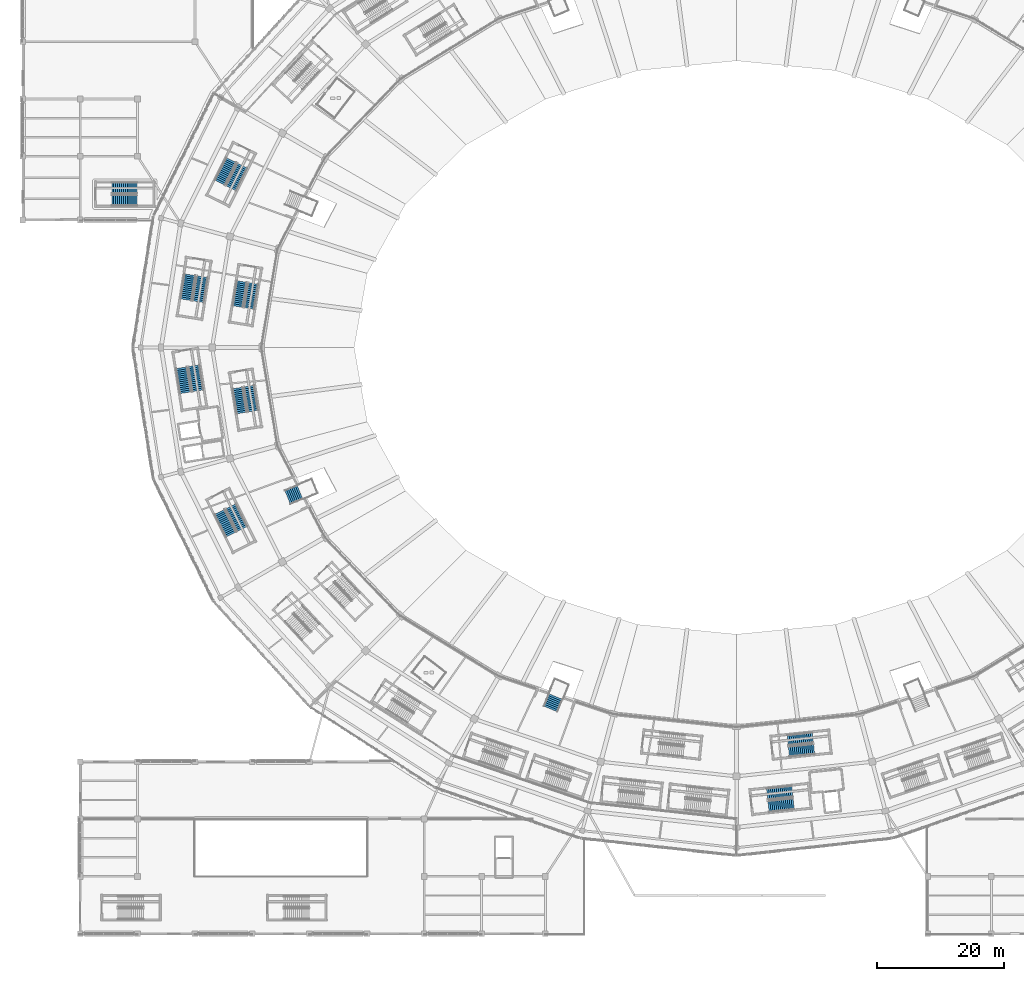
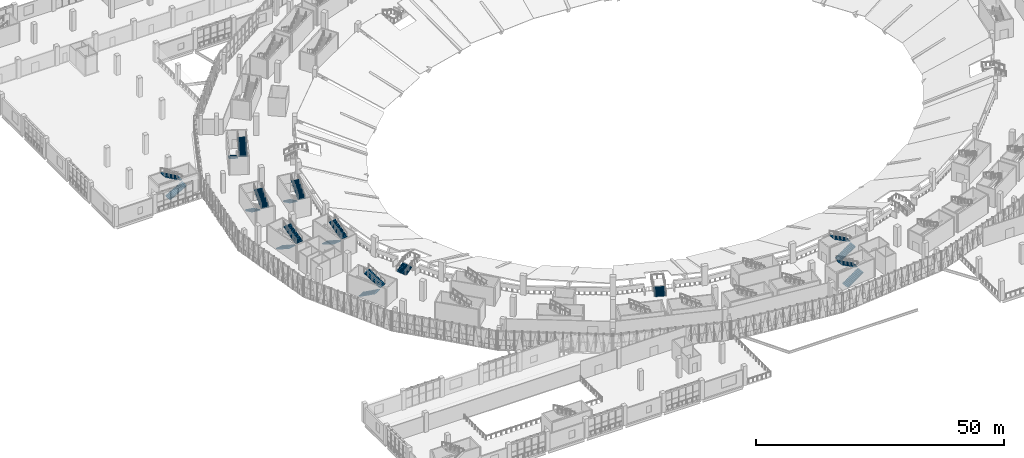
# One storey, part 114 of 183: 20 stair flights, 11 elements without a shape of their own.
"""IFC4 building model written with IfcOpenShell, lengths in metres."""

from ifc_helpers import new_model, si_unit, direction, frame, origin, place, context, subcontext, project, spatial, polyline, outline, extrude, material, type_object, element, aggregate, save


model = new_model("IFC4")

# Units and contexts
model_context = context("Model", 3, precision=1e-05, world=origin(), true_north=direction((0.0, 1.0)))
body_context = subcontext(model_context, "Body", "Model", "MODEL_VIEW")
ifc_project = project(units=[si_unit("LENGTHUNIT", "METRE"), si_unit("AREAUNIT", "SQUARE_METRE"), si_unit("VOLUMEUNIT", "CUBIC_METRE"), si_unit("PLANEANGLEUNIT", "RADIAN"), si_unit("MASSUNIT", "GRAM", prefix="KILO")], contexts=[model_context])

# Site, building, storey
site_placement = place(None, origin())
site = spatial("IfcSite", under=ifc_project, at=site_placement, CompositionType="ELEMENT")
building_placement = place(site_placement, origin())
building = spatial("IfcBuilding", under=site, at=building_placement, Name="Zevraka Park Crest Stadium", CompositionType="ELEMENT")
storey_placement = place(building_placement, frame((0.0, 0.0, 5.39990234375)))
storey = spatial("IfcBuildingStorey", under=building, at=storey_placement, Name="L01", CompositionType="ELEMENT", Elevation=5.39990234375)

# Stair, stair flights
ifc_material_1 = material(Name="Concrete C35/45", Category="concrete")
stair_type_1 = type_object("IfcStairType", Name="STA2", PredefinedType="HALF_TURN_STAIR", material=ifc_material_1)
stair_1_placement = place(storey_placement, origin())
stair_1 = element("IfcStair", 1, at=stair_1_placement, inside=storey, type_object=stair_type_1, Name="L01 Protected Concourse Exit Stair ST11", PredefinedType="HALF_TURN_STAIR")
ifc_material_2 = material(Name="Concrete C35/45", Category="concrete")
stair_flight_type_1 = type_object("IfcStairFlightType", Name="FLA2", PredefinedType="STRAIGHT", material=ifc_material_2)
stair_flight_1_placement = place(storey_placement, frame((32.707763671875, 121.415771484375, 0.0), z_axis=(0.0, 0.0, 1.0), x_axis=(-0.447915140373, -0.894076074518, 0.0)))
stair_flight_1 = element("IfcStairFlight", 2, at=stair_flight_1_placement, type_object=stair_flight_type_1, Name="ST11 flight 1", NumberOfRisers=14, NumberOfTreads=13, PredefinedType="STRAIGHT", RiserHeight=0.171428571, TreadLength=0.305, context=body_context, shape_type="SweptSolid", body=[
    extrude(outline(polyline([(0.0, 0.0), (0.0, 0.17138671875), (0.304931640625, 0.17138671875), (0.304931640625, 0.3427734375), (0.610107421875, 0.3427734375), (0.610107421875, 0.514404296875), (0.9150390625, 0.514404296875), (0.9150390625, 0.685791015625), (1.219970703125, 0.685791015625), (1.219970703125, 0.857177734375), (1.52490234375, 0.857177734375), (1.52490234375, 1.028564453125), (1.830078125, 1.028564453125), (1.830078125, 1.199951171875), (2.135009765625, 1.199951171875), (2.135009765625, 1.371337890625), (2.43994140625, 1.371337890625), (2.43994140625, 1.54296875), (2.7451171875, 1.54296875), (2.7451171875, 1.71435546875), (3.050048828125, 1.71435546875), (3.050048828125, 1.8857421875), (3.35498046875, 1.8857421875), (3.35498046875, 2.05712890625), (3.659912109375, 2.05712890625), (3.659912109375, 2.228515625), (3.965087890625, 2.228515625), (3.965087890625, 2.39990234375), (3.965087890625, 2.045166015625), (0.326416015625, 0.0), (0.0, 0.0)])), frame((0.0, 0.89990234375, 0.0), z_axis=(0.0, -1.0, 0.0), x_axis=(1.0, 0.0, 0.0)), (0.0, 0.0, 1.0), 1.800048828125),
])
stair_flight_2_placement = place(storey_placement, frame((32.684326171875, 116.99267578125, 2.400146484375), z_axis=(0.0, 0.0, 1.0), x_axis=(0.447915140373, 0.894076074518, 0.0)))
stair_flight_2 = element("IfcStairFlight", 3, at=stair_flight_2_placement, type_object=stair_flight_type_1, Name="ST11 flight 2", NumberOfRisers=14, NumberOfTreads=13, PredefinedType="STRAIGHT", RiserHeight=0.171428571, TreadLength=0.305, context=body_context, shape_type="SweptSolid", body=[
    extrude(outline(polyline([(0.0, 0.0), (0.0, 0.17138671875), (0.304931640625, 0.17138671875), (0.304931640625, 0.3427734375), (0.610107421875, 0.3427734375), (0.610107421875, 0.514404296875), (0.9150390625, 0.514404296875), (0.9150390625, 0.685791015625), (1.219970703125, 0.685791015625), (1.219970703125, 0.857177734375), (1.52490234375, 0.857177734375), (1.52490234375, 1.028564453125), (1.830078125, 1.028564453125), (1.830078125, 1.199951171875), (2.135009765625, 1.199951171875), (2.135009765625, 1.371337890625), (2.43994140625, 1.371337890625), (2.43994140625, 1.54296875), (2.7451171875, 1.54296875), (2.7451171875, 1.71435546875), (3.050048828125, 1.71435546875), (3.050048828125, 1.8857421875), (3.35498046875, 1.8857421875), (3.35498046875, 2.05712890625), (3.659912109375, 2.05712890625), (3.659912109375, 2.228515625), (3.965087890625, 2.228515625), (3.965087890625, 2.39990234375), (3.965087890625, 2.045166015625), (0.326416015625, 0.0), (0.0, 0.0)])), frame((0.0, 0.89990234375, 0.0), z_axis=(0.0, -1.0, 0.0), x_axis=(1.0, 0.0, 0.0)), (0.0, 0.0, 1.0), 1.800048828125),
])
aggregate(stair_1, [stair_flight_1, stair_flight_2])

stair_2_placement = place(storey_placement, origin())
stair_2 = element("IfcStair", 4, at=stair_2_placement, inside=storey, type_object=stair_type_1, Name="L01 Protected Concourse Exit Stair ST12", PredefinedType="HALF_TURN_STAIR")
stair_flight_3_placement = place(storey_placement, frame((26.2265625, 103.419677734375, 0.0), z_axis=(0.0, 0.0, 1.0), x_axis=(-0.157261853897, -0.987556939781, 0.0)))
stair_flight_3 = element("IfcStairFlight", 5, at=stair_flight_3_placement, type_object=stair_flight_type_1, Name="ST12 flight 1", NumberOfRisers=14, NumberOfTreads=13, PredefinedType="STRAIGHT", RiserHeight=0.171428571, TreadLength=0.305, context=body_context, shape_type="SweptSolid", body=[
    extrude(outline(polyline([(0.0, 0.0), (0.0, 0.17138671875), (0.304931640625, 0.17138671875), (0.304931640625, 0.3427734375), (0.610107421875, 0.3427734375), (0.610107421875, 0.514404296875), (0.9150390625, 0.514404296875), (0.9150390625, 0.685791015625), (1.219970703125, 0.685791015625), (1.219970703125, 0.857177734375), (1.52490234375, 0.857177734375), (1.52490234375, 1.028564453125), (1.830078125, 1.028564453125), (1.830078125, 1.199951171875), (2.135009765625, 1.199951171875), (2.135009765625, 1.371337890625), (2.43994140625, 1.371337890625), (2.43994140625, 1.54296875), (2.7451171875, 1.54296875), (2.7451171875, 1.71435546875), (3.050048828125, 1.71435546875), (3.050048828125, 1.8857421875), (3.35498046875, 1.8857421875), (3.35498046875, 2.05712890625), (3.659912109375, 2.05712890625), (3.659912109375, 2.228515625), (3.965087890625, 2.228515625), (3.965087890625, 2.39990234375), (3.965087890625, 2.045166015625), (0.326416015625, 0.0), (0.0, 0.0)])), frame((0.0, 0.89990234375, 0.0), z_axis=(0.0, -1.0, 0.0), x_axis=(1.0, 0.0, 0.0)), (0.0, 0.0, 1.0), 1.800048828125),
])
stair_flight_4_placement = place(storey_placement, frame((27.538818359375, 99.195556640625, 2.400146484375), z_axis=(0.0, 0.0, 1.0), x_axis=(0.157261853897, 0.987556939781, 0.0)))
stair_flight_4 = element("IfcStairFlight", 6, at=stair_flight_4_placement, type_object=stair_flight_type_1, Name="ST12 flight 2", NumberOfRisers=14, NumberOfTreads=13, PredefinedType="STRAIGHT", RiserHeight=0.171428571, TreadLength=0.305, context=body_context, shape_type="SweptSolid", body=[
    extrude(outline(polyline([(0.0, 0.0), (0.0, 0.17138671875), (0.304931640625, 0.17138671875), (0.304931640625, 0.3427734375), (0.610107421875, 0.3427734375), (0.610107421875, 0.514404296875), (0.9150390625, 0.514404296875), (0.9150390625, 0.685791015625), (1.219970703125, 0.685791015625), (1.219970703125, 0.857177734375), (1.52490234375, 0.857177734375), (1.52490234375, 1.028564453125), (1.830078125, 1.028564453125), (1.830078125, 1.199951171875), (2.135009765625, 1.199951171875), (2.135009765625, 1.371337890625), (2.43994140625, 1.371337890625), (2.43994140625, 1.54296875), (2.7451171875, 1.54296875), (2.7451171875, 1.71435546875), (3.050048828125, 1.71435546875), (3.050048828125, 1.8857421875), (3.35498046875, 1.8857421875), (3.35498046875, 2.05712890625), (3.659912109375, 2.05712890625), (3.659912109375, 2.228515625), (3.965087890625, 2.228515625), (3.965087890625, 2.39990234375), (3.965087890625, 2.045166015625), (0.326416015625, 0.0), (0.0, 0.0)])), frame((0.0, 0.89990234375, 0.0), z_axis=(0.0, -1.0, 0.0), x_axis=(1.0, 0.0, 0.0)), (0.0, 0.0, 1.0), 1.800048828125),
])
aggregate(stair_2, [stair_flight_3, stair_flight_4])

stair_3_placement = place(storey_placement, origin())
stair_3 = element("IfcStair", 7, at=stair_3_placement, inside=storey, type_object=stair_type_1, Name="L01 Protected Concourse Exit Stair ST13", PredefinedType="HALF_TURN_STAIR")
stair_flight_5_placement = place(storey_placement, frame((24.9140625, 88.82666015625, 0.0), z_axis=(0.0, 0.0, 1.0), x_axis=(0.157261853897, -0.987556939781, 0.0)))
stair_flight_5 = element("IfcStairFlight", 8, at=stair_flight_5_placement, type_object=stair_flight_type_1, Name="ST13 flight 1", NumberOfRisers=14, NumberOfTreads=13, PredefinedType="STRAIGHT", RiserHeight=0.171428571, TreadLength=0.305, context=body_context, shape_type="SweptSolid", body=[
    extrude(outline(polyline([(0.0, 0.0), (0.0, 0.17138671875), (0.304931640625, 0.17138671875), (0.304931640625, 0.3427734375), (0.610107421875, 0.3427734375), (0.610107421875, 0.514404296875), (0.9150390625, 0.514404296875), (0.9150390625, 0.685791015625), (1.219970703125, 0.685791015625), (1.219970703125, 0.857177734375), (1.52490234375, 0.857177734375), (1.52490234375, 1.028564453125), (1.830078125, 1.028564453125), (1.830078125, 1.199951171875), (2.135009765625, 1.199951171875), (2.135009765625, 1.371337890625), (2.43994140625, 1.371337890625), (2.43994140625, 1.54296875), (2.7451171875, 1.54296875), (2.7451171875, 1.71435546875), (3.050048828125, 1.71435546875), (3.050048828125, 1.8857421875), (3.35498046875, 1.8857421875), (3.35498046875, 2.05712890625), (3.659912109375, 2.05712890625), (3.659912109375, 2.228515625), (3.965087890625, 2.228515625), (3.965087890625, 2.39990234375), (3.965087890625, 2.045166015625), (0.326416015625, 0.0), (0.0, 0.0)])), frame((0.0, 0.89990234375, 0.0), z_axis=(0.0, -1.0, 0.0), x_axis=(1.0, 0.0, 0.0)), (0.0, 0.0, 1.0), 1.800048828125),
])
stair_flight_6_placement = place(storey_placement, frame((27.47314453125, 85.21923828125, 2.400146484375), z_axis=(0.0, 0.0, 1.0), x_axis=(-0.157261853897, 0.987556939781, 0.0)))
stair_flight_6 = element("IfcStairFlight", 9, at=stair_flight_6_placement, type_object=stair_flight_type_1, Name="ST13 flight 2", NumberOfRisers=14, NumberOfTreads=13, PredefinedType="STRAIGHT", RiserHeight=0.171428571, TreadLength=0.305, context=body_context, shape_type="SweptSolid", body=[
    extrude(outline(polyline([(0.0, 0.0), (0.0, 0.17138671875), (0.304931640625, 0.17138671875), (0.304931640625, 0.3427734375), (0.610107421875, 0.3427734375), (0.610107421875, 0.514404296875), (0.9150390625, 0.514404296875), (0.9150390625, 0.685791015625), (1.219970703125, 0.685791015625), (1.219970703125, 0.857177734375), (1.52490234375, 0.857177734375), (1.52490234375, 1.028564453125), (1.830078125, 1.028564453125), (1.830078125, 1.199951171875), (2.135009765625, 1.199951171875), (2.135009765625, 1.371337890625), (2.43994140625, 1.371337890625), (2.43994140625, 1.54296875), (2.7451171875, 1.54296875), (2.7451171875, 1.71435546875), (3.050048828125, 1.71435546875), (3.050048828125, 1.8857421875), (3.35498046875, 1.8857421875), (3.35498046875, 2.05712890625), (3.659912109375, 2.05712890625), (3.659912109375, 2.228515625), (3.965087890625, 2.228515625), (3.965087890625, 2.39990234375), (3.965087890625, 2.045166015625), (0.326416015625, 0.0), (0.0, 0.0)])), frame((0.0, 0.89990234375, 0.0), z_axis=(0.0, -1.0, 0.0), x_axis=(1.0, 0.0, 0.0)), (0.0, 0.0, 1.0), 1.800048828125),
])
aggregate(stair_3, [stair_flight_5, stair_flight_6])

stair_4_placement = place(storey_placement, origin())
stair_4 = element("IfcStair", 10, at=stair_4_placement, inside=storey, type_object=stair_type_1, Name="L01 Protected Concourse Exit Stair ST14", PredefinedType="HALF_TURN_STAIR")
stair_flight_7_placement = place(storey_placement, frame((30.8935546875, 66.2060546875, 0.0), z_axis=(0.0, 0.0, 1.0), x_axis=(0.447915140373, -0.894076074518, 0.0)))
stair_flight_7 = element("IfcStairFlight", 11, at=stair_flight_7_placement, type_object=stair_flight_type_1, Name="ST14 flight 1", NumberOfRisers=14, NumberOfTreads=13, PredefinedType="STRAIGHT", RiserHeight=0.171428571, TreadLength=0.305, context=body_context, shape_type="SweptSolid", body=[
    extrude(outline(polyline([(0.0, 0.0), (0.0, 0.17138671875), (0.304931640625, 0.17138671875), (0.304931640625, 0.3427734375), (0.610107421875, 0.3427734375), (0.610107421875, 0.514404296875), (0.9150390625, 0.514404296875), (0.9150390625, 0.685791015625), (1.219970703125, 0.685791015625), (1.219970703125, 0.857177734375), (1.52490234375, 0.857177734375), (1.52490234375, 1.028564453125), (1.830078125, 1.028564453125), (1.830078125, 1.199951171875), (2.135009765625, 1.199951171875), (2.135009765625, 1.371337890625), (2.43994140625, 1.371337890625), (2.43994140625, 1.54296875), (2.7451171875, 1.54296875), (2.7451171875, 1.71435546875), (3.050048828125, 1.71435546875), (3.050048828125, 1.8857421875), (3.35498046875, 1.8857421875), (3.35498046875, 2.05712890625), (3.659912109375, 2.05712890625), (3.659912109375, 2.228515625), (3.965087890625, 2.228515625), (3.965087890625, 2.39990234375), (3.965087890625, 2.045166015625), (0.326416015625, 0.0), (0.0, 0.0)])), frame((0.0, 0.89990234375, 0.0), z_axis=(0.0, -1.0, 0.0), x_axis=(1.0, 0.0, 0.0)), (0.0, 0.0, 1.0), 1.800048828125),
])
stair_flight_8_placement = place(storey_placement, frame((34.421875, 63.538818359375, 2.400146484375), z_axis=(0.0, 0.0, 1.0), x_axis=(-0.447915140373, 0.894076074518, 0.0)))
stair_flight_8 = element("IfcStairFlight", 12, at=stair_flight_8_placement, type_object=stair_flight_type_1, Name="ST14 flight 2", NumberOfRisers=14, NumberOfTreads=13, PredefinedType="STRAIGHT", RiserHeight=0.171428571, TreadLength=0.305, context=body_context, shape_type="SweptSolid", body=[
    extrude(outline(polyline([(0.0, 0.0), (0.0, 0.17138671875), (0.304931640625, 0.17138671875), (0.304931640625, 0.3427734375), (0.610107421875, 0.3427734375), (0.610107421875, 0.514404296875), (0.9150390625, 0.514404296875), (0.9150390625, 0.685791015625), (1.219970703125, 0.685791015625), (1.219970703125, 0.857177734375), (1.52490234375, 0.857177734375), (1.52490234375, 1.028564453125), (1.830078125, 1.028564453125), (1.830078125, 1.199951171875), (2.135009765625, 1.199951171875), (2.135009765625, 1.371337890625), (2.43994140625, 1.371337890625), (2.43994140625, 1.54296875), (2.7451171875, 1.54296875), (2.7451171875, 1.71435546875), (3.050048828125, 1.71435546875), (3.050048828125, 1.8857421875), (3.35498046875, 1.8857421875), (3.35498046875, 2.05712890625), (3.659912109375, 2.05712890625), (3.659912109375, 2.228515625), (3.965087890625, 2.228515625), (3.965087890625, 2.39990234375), (3.965087890625, 2.045166015625), (0.326416015625, 0.0), (0.0, 0.0)])), frame((0.0, 0.89990234375, 0.0), z_axis=(0.0, -1.0, 0.0), x_axis=(1.0, 0.0, 0.0)), (0.0, 0.0, 1.0), 1.800048828125),
])
aggregate(stair_4, [stair_flight_7, stair_flight_8])

stair_5_placement = place(storey_placement, origin())
stair_5 = element("IfcStair", 13, at=stair_5_placement, inside=storey, type_object=stair_type_1, Name="L01 Protected Concourse Exit Stair ST19", PredefinedType="HALF_TURN_STAIR")
stair_flight_9_placement = place(storey_placement, frame((117.02490234375, 19.961181640625, 0.0), z_axis=(0.0, 0.0, 1.0), x_axis=(0.994127567381, 0.108214508149, 0.0)))
stair_flight_9 = element("IfcStairFlight", 14, at=stair_flight_9_placement, type_object=stair_flight_type_1, Name="ST19 flight 1", NumberOfRisers=14, NumberOfTreads=13, PredefinedType="STRAIGHT", RiserHeight=0.171428571, TreadLength=0.305, context=body_context, shape_type="SweptSolid", body=[
    extrude(outline(polyline([(0.0, 0.0), (0.0, 0.17138671875), (0.304931640625, 0.17138671875), (0.304931640625, 0.3427734375), (0.610107421875, 0.3427734375), (0.610107421875, 0.514404296875), (0.9150390625, 0.514404296875), (0.9150390625, 0.685791015625), (1.219970703125, 0.685791015625), (1.219970703125, 0.857177734375), (1.52490234375, 0.857177734375), (1.52490234375, 1.028564453125), (1.830078125, 1.028564453125), (1.830078125, 1.199951171875), (2.135009765625, 1.199951171875), (2.135009765625, 1.371337890625), (2.43994140625, 1.371337890625), (2.43994140625, 1.54296875), (2.7451171875, 1.54296875), (2.7451171875, 1.71435546875), (3.050048828125, 1.71435546875), (3.050048828125, 1.8857421875), (3.35498046875, 1.8857421875), (3.35498046875, 2.05712890625), (3.659912109375, 2.05712890625), (3.659912109375, 2.228515625), (3.965087890625, 2.228515625), (3.965087890625, 2.39990234375), (3.965087890625, 2.045166015625), (0.326416015625, 0.0), (0.0, 0.0)])), frame((0.0, 0.89990234375, 0.0), z_axis=(0.0, -1.0, 0.0), x_axis=(1.0, 0.0, 0.0)), (0.0, 0.0, 1.0), 1.800048828125),
])
stair_flight_10_placement = place(storey_placement, frame((120.754638671875, 22.3388671875, 2.400146484375), z_axis=(0.0, 0.0, 1.0), x_axis=(-0.994127567381, -0.108214508149, 0.0)))
stair_flight_10 = element("IfcStairFlight", 15, at=stair_flight_10_placement, type_object=stair_flight_type_1, Name="ST19 flight 2", NumberOfRisers=14, NumberOfTreads=13, PredefinedType="STRAIGHT", RiserHeight=0.171428571, TreadLength=0.305, context=body_context, shape_type="SweptSolid", body=[
    extrude(outline(polyline([(0.0, 0.0), (0.0, 0.17138671875), (0.304931640625, 0.17138671875), (0.304931640625, 0.3427734375), (0.610107421875, 0.3427734375), (0.610107421875, 0.514404296875), (0.9150390625, 0.514404296875), (0.9150390625, 0.685791015625), (1.219970703125, 0.685791015625), (1.219970703125, 0.857177734375), (1.52490234375, 0.857177734375), (1.52490234375, 1.028564453125), (1.830078125, 1.028564453125), (1.830078125, 1.199951171875), (2.135009765625, 1.199951171875), (2.135009765625, 1.371337890625), (2.43994140625, 1.371337890625), (2.43994140625, 1.54296875), (2.7451171875, 1.54296875), (2.7451171875, 1.71435546875), (3.050048828125, 1.71435546875), (3.050048828125, 1.8857421875), (3.35498046875, 1.8857421875), (3.35498046875, 2.05712890625), (3.659912109375, 2.05712890625), (3.659912109375, 2.228515625), (3.965087890625, 2.228515625), (3.965087890625, 2.39990234375), (3.965087890625, 2.045166015625), (0.326416015625, 0.0), (0.0, 0.0)])), frame((0.0, 0.89990234375, 0.0), z_axis=(0.0, -1.0, 0.0), x_axis=(1.0, 0.0, 0.0)), (0.0, 0.0, 1.0), 1.800048828125),
])
aggregate(stair_5, [stair_flight_9, stair_flight_10])

ifc_material_3 = material(Name="Concrete C35/45", Category="concrete")
stair_type_2 = type_object("IfcStairType", Name="STB2", PredefinedType="HALF_TURN_STAIR", material=ifc_material_3)
stair_6_placement = place(storey_placement, origin())
stair_6 = element("IfcStair", 16, at=stair_6_placement, inside=storey, type_object=stair_type_2, Name="L01 Protected Concourse Relief Stair ST38", PredefinedType="HALF_TURN_STAIR")
ifc_material_4 = material(Name="Concrete C35/45", Category="concrete")
stair_flight_type_2 = type_object("IfcStairFlightType", Name="FLB2", PredefinedType="STRAIGHT", material=ifc_material_4)
stair_flight_11_placement = place(storey_placement, frame((34.36865234375, 102.349365234375, 0.0), z_axis=(0.0, 0.0, 1.0), x_axis=(-0.16070639019, -0.98700225742, 0.0)))
stair_flight_11 = element("IfcStairFlight", 17, at=stair_flight_11_placement, type_object=stair_flight_type_2, Name="ST38 flight 1", NumberOfRisers=14, NumberOfTreads=13, PredefinedType="STRAIGHT", RiserHeight=0.171428571, TreadLength=0.305, context=body_context, shape_type="SweptSolid", body=[
    extrude(outline(polyline([(0.0, 0.0), (0.0, 0.17138671875), (0.304931640625, 0.17138671875), (0.304931640625, 0.3427734375), (0.610107421875, 0.3427734375), (0.610107421875, 0.514404296875), (0.9150390625, 0.514404296875), (0.9150390625, 0.685791015625), (1.219970703125, 0.685791015625), (1.219970703125, 0.857177734375), (1.52490234375, 0.857177734375), (1.52490234375, 1.028564453125), (1.830078125, 1.028564453125), (1.830078125, 1.199951171875), (2.135009765625, 1.199951171875), (2.135009765625, 1.371337890625), (2.43994140625, 1.371337890625), (2.43994140625, 1.54296875), (2.7451171875, 1.54296875), (2.7451171875, 1.71435546875), (3.050048828125, 1.71435546875), (3.050048828125, 1.8857421875), (3.35498046875, 1.8857421875), (3.35498046875, 2.05712890625), (3.659912109375, 2.05712890625), (3.659912109375, 2.228515625), (3.965087890625, 2.228515625), (3.965087890625, 2.39990234375), (3.965087890625, 2.045166015625), (0.326416015625, 0.0), (0.0, 0.0)])), frame((0.0, 0.824951171875, 0.0), z_axis=(0.0, -1.0, 0.0), x_axis=(1.0, 0.0, 0.0)), (0.0, 0.0, 1.0), 1.64990234375),
])
stair_flight_12_placement = place(storey_placement, frame((35.517822265625, 98.14501953125, 2.400146484375), z_axis=(0.0, 0.0, 1.0), x_axis=(0.16070639019, 0.98700225742, 0.0)))
stair_flight_12 = element("IfcStairFlight", 18, at=stair_flight_12_placement, type_object=stair_flight_type_2, Name="ST38 flight 2", NumberOfRisers=14, NumberOfTreads=13, PredefinedType="STRAIGHT", RiserHeight=0.171428571, TreadLength=0.305, context=body_context, shape_type="SweptSolid", body=[
    extrude(outline(polyline([(0.0, 0.0), (0.0, 0.17138671875), (0.304931640625, 0.17138671875), (0.304931640625, 0.3427734375), (0.610107421875, 0.3427734375), (0.610107421875, 0.514404296875), (0.9150390625, 0.514404296875), (0.9150390625, 0.685791015625), (1.219970703125, 0.685791015625), (1.219970703125, 0.857177734375), (1.52490234375, 0.857177734375), (1.52490234375, 1.028564453125), (1.830078125, 1.028564453125), (1.830078125, 1.199951171875), (2.135009765625, 1.199951171875), (2.135009765625, 1.371337890625), (2.43994140625, 1.371337890625), (2.43994140625, 1.54296875), (2.7451171875, 1.54296875), (2.7451171875, 1.71435546875), (3.050048828125, 1.71435546875), (3.050048828125, 1.8857421875), (3.35498046875, 1.8857421875), (3.35498046875, 2.05712890625), (3.659912109375, 2.05712890625), (3.659912109375, 2.228515625), (3.965087890625, 2.228515625), (3.965087890625, 2.39990234375), (3.965087890625, 2.045166015625), (0.326416015625, 0.0), (0.0, 0.0)])), frame((0.0, 0.824951171875, 0.0), z_axis=(0.0, -1.0, 0.0), x_axis=(1.0, 0.0, 0.0)), (0.0, 0.0, 1.0), 1.64990234375),
])
aggregate(stair_6, [stair_flight_11, stair_flight_12])

stair_7_placement = place(storey_placement, origin())
stair_7 = element("IfcStair", 19, at=stair_7_placement, inside=storey, type_object=stair_type_2, Name="L01 Protected Concourse Relief Stair ST39", PredefinedType="HALF_TURN_STAIR")
stair_flight_13_placement = place(storey_placement, frame((33.717041015625, 85.6484375, 0.0), z_axis=(0.0, 0.0, 1.0), x_axis=(0.16070639019, -0.98700225742, 0.0)))
stair_flight_13 = element("IfcStairFlight", 20, at=stair_flight_13_placement, type_object=stair_flight_type_2, Name="ST39 flight 1", NumberOfRisers=14, NumberOfTreads=13, PredefinedType="STRAIGHT", RiserHeight=0.171428571, TreadLength=0.305, context=body_context, shape_type="SweptSolid", body=[
    extrude(outline(polyline([(0.0, 0.0), (0.0, 0.17138671875), (0.304931640625, 0.17138671875), (0.304931640625, 0.3427734375), (0.610107421875, 0.3427734375), (0.610107421875, 0.514404296875), (0.9150390625, 0.514404296875), (0.9150390625, 0.685791015625), (1.219970703125, 0.685791015625), (1.219970703125, 0.857177734375), (1.52490234375, 0.857177734375), (1.52490234375, 1.028564453125), (1.830078125, 1.028564453125), (1.830078125, 1.199951171875), (2.135009765625, 1.199951171875), (2.135009765625, 1.371337890625), (2.43994140625, 1.371337890625), (2.43994140625, 1.54296875), (2.7451171875, 1.54296875), (2.7451171875, 1.71435546875), (3.050048828125, 1.71435546875), (3.050048828125, 1.8857421875), (3.35498046875, 1.8857421875), (3.35498046875, 2.05712890625), (3.659912109375, 2.05712890625), (3.659912109375, 2.228515625), (3.965087890625, 2.228515625), (3.965087890625, 2.39990234375), (3.965087890625, 2.045166015625), (0.326416015625, 0.0), (0.0, 0.0)])), frame((0.0, 0.824951171875, 0.0), z_axis=(0.0, -1.0, 0.0), x_axis=(1.0, 0.0, 0.0)), (0.0, 0.0, 1.0), 1.64990234375),
])
stair_flight_14_placement = place(storey_placement, frame((36.140625, 82.02587890625, 2.400146484375), z_axis=(0.0, 0.0, 1.0), x_axis=(-0.16070639019, 0.98700225742, 0.0)))
stair_flight_14 = element("IfcStairFlight", 21, at=stair_flight_14_placement, type_object=stair_flight_type_2, Name="ST39 flight 2", NumberOfRisers=14, NumberOfTreads=13, PredefinedType="STRAIGHT", RiserHeight=0.171428571, TreadLength=0.305, context=body_context, shape_type="SweptSolid", body=[
    extrude(outline(polyline([(0.0, 0.0), (0.0, 0.17138671875), (0.304931640625, 0.17138671875), (0.304931640625, 0.3427734375), (0.610107421875, 0.3427734375), (0.610107421875, 0.514404296875), (0.9150390625, 0.514404296875), (0.9150390625, 0.685791015625), (1.219970703125, 0.685791015625), (1.219970703125, 0.857177734375), (1.52490234375, 0.857177734375), (1.52490234375, 1.028564453125), (1.830078125, 1.028564453125), (1.830078125, 1.199951171875), (2.135009765625, 1.199951171875), (2.135009765625, 1.371337890625), (2.43994140625, 1.371337890625), (2.43994140625, 1.54296875), (2.7451171875, 1.54296875), (2.7451171875, 1.71435546875), (3.050048828125, 1.71435546875), (3.050048828125, 1.8857421875), (3.35498046875, 1.8857421875), (3.35498046875, 2.05712890625), (3.659912109375, 2.05712890625), (3.659912109375, 2.228515625), (3.965087890625, 2.228515625), (3.965087890625, 2.39990234375), (3.965087890625, 2.045166015625), (0.326416015625, 0.0), (0.0, 0.0)])), frame((0.0, 0.824951171875, 0.0), z_axis=(0.0, -1.0, 0.0), x_axis=(1.0, 0.0, 0.0)), (0.0, 0.0, 1.0), 1.64990234375),
])
aggregate(stair_7, [stair_flight_13, stair_flight_14])

stair_8_placement = place(storey_placement, origin())
stair_8 = element("IfcStair", 22, at=stair_8_placement, inside=storey, type_object=stair_type_2, Name="L01 Protected Concourse Relief Stair ST42", PredefinedType="HALF_TURN_STAIR")
stair_flight_15_placement = place(storey_placement, frame((120.22802734375, 28.565673828125, 0.0), z_axis=(0.0, 0.0, 1.0), x_axis=(0.994381814459, 0.105852761294, 0.0)))
stair_flight_15 = element("IfcStairFlight", 23, at=stair_flight_15_placement, type_object=stair_flight_type_2, Name="ST42 flight 1", NumberOfRisers=14, NumberOfTreads=13, PredefinedType="STRAIGHT", RiserHeight=0.171428571, TreadLength=0.305, context=body_context, shape_type="SweptSolid", body=[
    extrude(outline(polyline([(0.0, 0.0), (0.0, 0.17138671875), (0.304931640625, 0.17138671875), (0.304931640625, 0.3427734375), (0.610107421875, 0.3427734375), (0.610107421875, 0.514404296875), (0.9150390625, 0.514404296875), (0.9150390625, 0.685791015625), (1.219970703125, 0.685791015625), (1.219970703125, 0.857177734375), (1.52490234375, 0.857177734375), (1.52490234375, 1.028564453125), (1.830078125, 1.028564453125), (1.830078125, 1.199951171875), (2.135009765625, 1.199951171875), (2.135009765625, 1.371337890625), (2.43994140625, 1.371337890625), (2.43994140625, 1.54296875), (2.7451171875, 1.54296875), (2.7451171875, 1.71435546875), (3.050048828125, 1.71435546875), (3.050048828125, 1.8857421875), (3.35498046875, 1.8857421875), (3.35498046875, 2.05712890625), (3.659912109375, 2.05712890625), (3.659912109375, 2.228515625), (3.965087890625, 2.228515625), (3.965087890625, 2.39990234375), (3.965087890625, 2.045166015625), (0.326416015625, 0.0), (0.0, 0.0)])), frame((0.0, 0.824951171875, 0.0), z_axis=(0.0, -1.0, 0.0), x_axis=(1.0, 0.0, 0.0)), (0.0, 0.0, 1.0), 1.64990234375),
])
stair_flight_16_placement = place(storey_placement, frame((123.97900390625, 30.78515625, 2.400146484375), z_axis=(0.0, 0.0, 1.0), x_axis=(-0.994381814459, -0.105852761294, 0.0)))
stair_flight_16 = element("IfcStairFlight", 24, at=stair_flight_16_placement, type_object=stair_flight_type_2, Name="ST42 flight 2", NumberOfRisers=14, NumberOfTreads=13, PredefinedType="STRAIGHT", RiserHeight=0.171428571, TreadLength=0.305, context=body_context, shape_type="SweptSolid", body=[
    extrude(outline(polyline([(0.0, 0.0), (0.0, 0.17138671875), (0.304931640625, 0.17138671875), (0.304931640625, 0.3427734375), (0.610107421875, 0.3427734375), (0.610107421875, 0.514404296875), (0.9150390625, 0.514404296875), (0.9150390625, 0.685791015625), (1.219970703125, 0.685791015625), (1.219970703125, 0.857177734375), (1.52490234375, 0.857177734375), (1.52490234375, 1.028564453125), (1.830078125, 1.028564453125), (1.830078125, 1.199951171875), (2.135009765625, 1.199951171875), (2.135009765625, 1.371337890625), (2.43994140625, 1.371337890625), (2.43994140625, 1.54296875), (2.7451171875, 1.54296875), (2.7451171875, 1.71435546875), (3.050048828125, 1.71435546875), (3.050048828125, 1.8857421875), (3.35498046875, 1.8857421875), (3.35498046875, 2.05712890625), (3.659912109375, 2.05712890625), (3.659912109375, 2.228515625), (3.965087890625, 2.228515625), (3.965087890625, 2.39990234375), (3.965087890625, 2.045166015625), (0.326416015625, 0.0), (0.0, 0.0)])), frame((0.0, 0.824951171875, 0.0), z_axis=(0.0, -1.0, 0.0), x_axis=(1.0, 0.0, 0.0)), (0.0, 0.0, 1.0), 1.64990234375),
])
aggregate(stair_8, [stair_flight_15, stair_flight_16])

ifc_material_5 = material(Name="Concrete C35/45", Category="concrete")
stair_type_3 = type_object("IfcStairType", Name="STC2", PredefinedType="HALF_TURN_STAIR", material=ifc_material_5)
stair_9_placement = place(storey_placement, origin())
stair_9 = element("IfcStair", 25, at=stair_9_placement, inside=storey, type_object=stair_type_3, Name="L01 NW Veranda Wing South-West Stair ST48", PredefinedType="HALF_TURN_STAIR")
ifc_material_6 = material(Name="Concrete C35/45", Category="concrete")
stair_flight_type_3 = type_object("IfcStairFlightType", Name="FLC2", PredefinedType="STRAIGHT", material=ifc_material_6)
stair_flight_17_placement = place(storey_placement, frame((13.949951171875, 115.125, 0.0), z_axis=(0.0, 0.0, 1.0), x_axis=(1.0, 0.0, 0.0)))
stair_flight_17 = element("IfcStairFlight", 26, at=stair_flight_17_placement, type_object=stair_flight_type_3, Name="ST48 flight 1", NumberOfRisers=14, NumberOfTreads=13, PredefinedType="STRAIGHT", RiserHeight=0.171428571, TreadLength=0.305, context=body_context, shape_type="SweptSolid", body=[
    extrude(outline(polyline([(0.0, 0.0), (0.0, 0.17138671875), (0.304931640625, 0.17138671875), (0.304931640625, 0.3427734375), (0.610107421875, 0.3427734375), (0.610107421875, 0.514404296875), (0.9150390625, 0.514404296875), (0.9150390625, 0.685791015625), (1.219970703125, 0.685791015625), (1.219970703125, 0.857177734375), (1.52490234375, 0.857177734375), (1.52490234375, 1.028564453125), (1.830078125, 1.028564453125), (1.830078125, 1.199951171875), (2.135009765625, 1.199951171875), (2.135009765625, 1.371337890625), (2.43994140625, 1.371337890625), (2.43994140625, 1.54296875), (2.7451171875, 1.54296875), (2.7451171875, 1.71435546875), (3.050048828125, 1.71435546875), (3.050048828125, 1.8857421875), (3.35498046875, 1.8857421875), (3.35498046875, 2.05712890625), (3.659912109375, 2.05712890625), (3.659912109375, 2.228515625), (3.965087890625, 2.228515625), (3.965087890625, 2.39990234375), (3.965087890625, 2.045166015625), (0.326416015625, 0.0), (0.0, 0.0)])), frame((0.0, 0.875, 0.0), z_axis=(0.0, -1.0, 0.0), x_axis=(1.0, 0.0, 0.0)), (0.0, 0.0, 1.0), 1.75),
])
stair_flight_18_placement = place(storey_placement, frame((17.9150390625, 117.034912109375, 2.400146484375), z_axis=(0.0, 0.0, 1.0), x_axis=(-1.0, 0.0, 0.0)))
stair_flight_18 = element("IfcStairFlight", 27, at=stair_flight_18_placement, type_object=stair_flight_type_3, Name="ST48 flight 2", NumberOfRisers=14, NumberOfTreads=13, PredefinedType="STRAIGHT", RiserHeight=0.171428571, TreadLength=0.305, context=body_context, shape_type="SweptSolid", body=[
    extrude(outline(polyline([(0.0, 0.0), (0.0, 0.17138671875), (0.304931640625, 0.17138671875), (0.304931640625, 0.3427734375), (0.610107421875, 0.3427734375), (0.610107421875, 0.514404296875), (0.9150390625, 0.514404296875), (0.9150390625, 0.685791015625), (1.219970703125, 0.685791015625), (1.219970703125, 0.857177734375), (1.52490234375, 0.857177734375), (1.52490234375, 1.028564453125), (1.830078125, 1.028564453125), (1.830078125, 1.199951171875), (2.135009765625, 1.199951171875), (2.135009765625, 1.371337890625), (2.43994140625, 1.371337890625), (2.43994140625, 1.54296875), (2.7451171875, 1.54296875), (2.7451171875, 1.71435546875), (3.050048828125, 1.71435546875), (3.050048828125, 1.8857421875), (3.35498046875, 1.8857421875), (3.35498046875, 2.05712890625), (3.659912109375, 2.05712890625), (3.659912109375, 2.228515625), (3.965087890625, 2.228515625), (3.965087890625, 2.39990234375), (3.965087890625, 2.045166015625), (0.326416015625, 0.0), (0.0, 0.0)])), frame((0.0, 0.875, 0.0), z_axis=(0.0, -1.0, 0.0), x_axis=(1.0, 0.0, 0.0)), (0.0, 0.0, 1.0), 1.75),
])
aggregate(stair_9, [stair_flight_17, stair_flight_18])

# Stair, stair flight
ifc_material_7 = material(Name="Concrete C35/45", Category="concrete")
stair_type_4 = type_object("IfcStairType", Name="VST1", PredefinedType="STRAIGHT_RUN_STAIR", material=ifc_material_7)
stair_10_placement = place(storey_placement, origin())
stair_10 = element("IfcStair", 28, at=stair_10_placement, inside=storey, type_object=stair_type_4, Name="Vomitory Stair VS-05", PredefinedType="STRAIGHT_RUN_STAIR")
ifc_material_8 = material(Name="Concrete C35/45", Category="concrete")
stair_flight_type_4 = type_object("IfcStairFlightType", Name="FLVS", PredefinedType="STRAIGHT", material=ifc_material_8)
stair_flight_19_placement = place(storey_placement, frame((41.54296875, 68.507080078125, 0.0), z_axis=(0.0, 0.0, 1.0), x_axis=(0.923882204123, 0.38267698246, 0.0)))
stair_flight_19 = element("IfcStairFlight", 29, at=stair_flight_19_placement, type_object=stair_flight_type_4, Name="VST1 flight 1", NumberOfRisers=8, NumberOfTreads=7, PredefinedType="STRAIGHT", RiserHeight=0.15, TreadLength=0.3, context=body_context, shape_type="SweptSolid", body=[
    extrude(outline(polyline([(0.0, 0.0), (0.0, 0.14990234375), (0.300048828125, 0.14990234375), (0.300048828125, 0.300048828125), (0.60009765625, 0.300048828125), (0.60009765625, 0.449951171875), (0.89990234375, 0.449951171875), (0.89990234375, 0.60009765625), (1.199951171875, 0.60009765625), (1.199951171875, 0.75), (1.5, 0.75), (1.5, 0.89990234375), (1.800048828125, 0.89990234375), (1.800048828125, 1.050048828125), (2.10009765625, 1.050048828125), (2.10009765625, 1.199951171875), (2.10009765625, 0.848876953125), (0.40234375, 0.0), (0.0, 0.0)])), frame((0.0, 1.199951171875, 0.0), z_axis=(0.0, -1.0, 0.0), x_axis=(1.0, 0.0, 0.0)), (0.0, 0.0, 1.0), 2.39990234375),
])
aggregate(stair_10, [stair_flight_19])

stair_11_placement = place(storey_placement, origin())
stair_11 = element("IfcStair", 30, at=stair_11_placement, inside=storey, type_object=stair_type_4, Name="Vomitory Stair VS-06", PredefinedType="STRAIGHT_RUN_STAIR")
stair_flight_20_placement = place(storey_placement, frame((82.81591796875, 35.281982421875, 0.0), z_axis=(0.0, 0.0, 1.0), x_axis=(0.382699557047, 0.923872853285, 0.0)))
stair_flight_20 = element("IfcStairFlight", 31, at=stair_flight_20_placement, type_object=stair_flight_type_4, Name="VST1 flight 1", NumberOfRisers=8, NumberOfTreads=7, PredefinedType="STRAIGHT", RiserHeight=0.15, TreadLength=0.3, context=body_context, shape_type="SweptSolid", body=[
    extrude(outline(polyline([(0.0, 0.0), (0.0, 0.14990234375), (0.300048828125, 0.14990234375), (0.300048828125, 0.300048828125), (0.60009765625, 0.300048828125), (0.60009765625, 0.449951171875), (0.89990234375, 0.449951171875), (0.89990234375, 0.60009765625), (1.199951171875, 0.60009765625), (1.199951171875, 0.75), (1.5, 0.75), (1.5, 0.89990234375), (1.800048828125, 0.89990234375), (1.800048828125, 1.050048828125), (2.10009765625, 1.050048828125), (2.10009765625, 1.199951171875), (2.10009765625, 0.848876953125), (0.40234375, 0.0), (0.0, 0.0)])), frame((0.0, 1.199951171875, 0.0), z_axis=(0.0, -1.0, 0.0), x_axis=(1.0, 0.0, 0.0)), (0.0, 0.0, 1.0), 2.39990234375),
])
aggregate(stair_11, [stair_flight_20])

save(model, "model.ifc")
